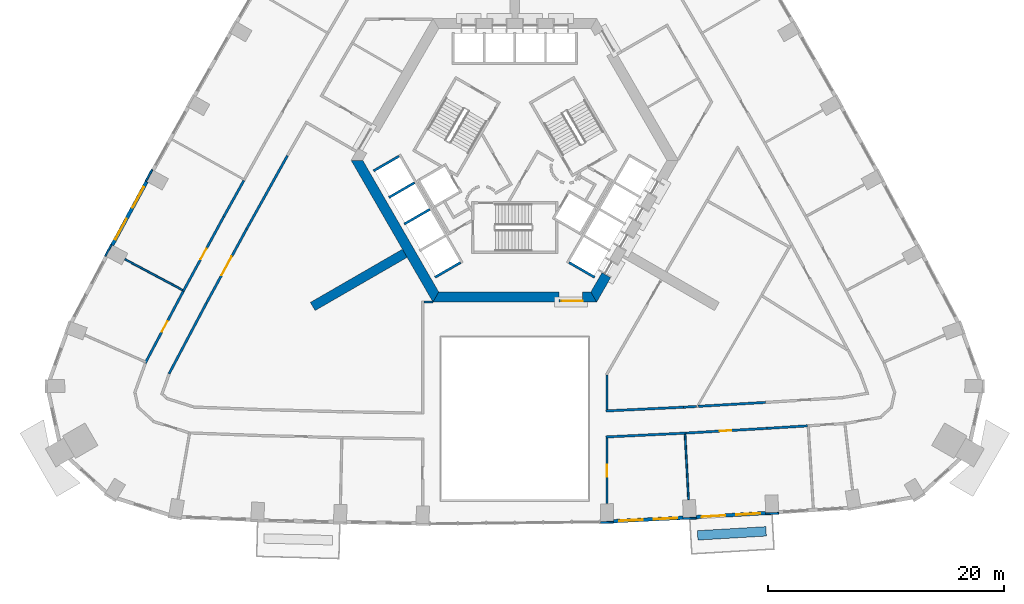
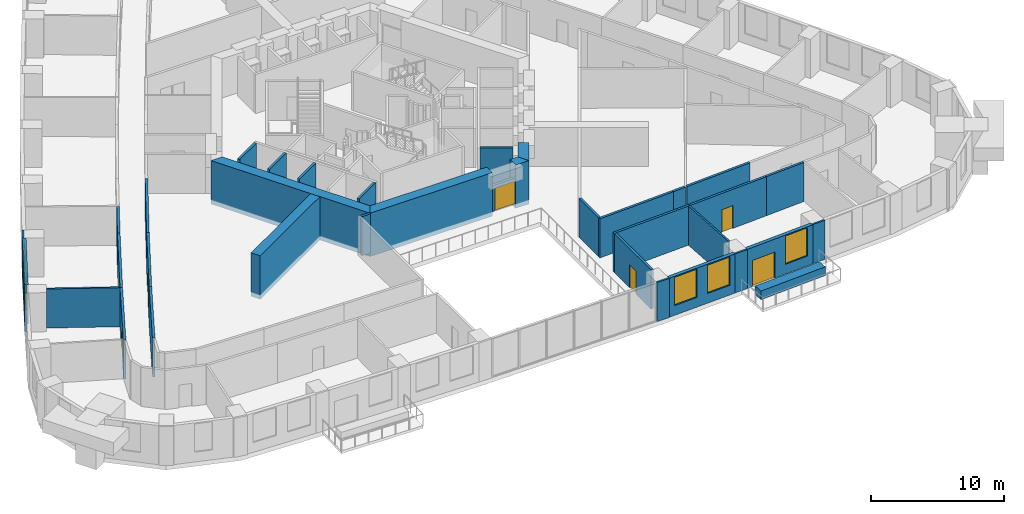
# One storey, part 5 of 15: 37 walls, 7 doors, 5 windows, 12 openings.
"""IFC4 building model written with IfcOpenShell, lengths in metres."""

from ifc_helpers import new_model, si_unit, direction, frame, frame_2d, origin, place, context, subcontext, project, spatial, polyline, rectangle, outline, extrude, material, layer, layer_set, type_object, element, fill, save


model = new_model("IFC4")

# Units and contexts
model_context = context("Model", 3, precision=1e-05, world=origin(), true_north=direction((0.0, 1.0)))
body_context = subcontext(model_context, "Body", "Model", "MODEL_VIEW")
ifc_project = project(units=[si_unit("LENGTHUNIT", "METRE"), si_unit("AREAUNIT", "SQUARE_METRE"), si_unit("VOLUMEUNIT", "CUBIC_METRE"), si_unit("PLANEANGLEUNIT", "RADIAN"), si_unit("MASSUNIT", "GRAM", prefix="KILO")], contexts=[model_context])

# Site, building, storey
site_placement = place(None, origin())
site = spatial("IfcSite", under=ifc_project, at=site_placement, CompositionType="ELEMENT")
building_placement = place(site_placement, origin())
building = spatial("IfcBuilding", under=site, at=building_placement, Name="Entoto Arch Interchange Tower", CompositionType="ELEMENT")
storey_placement = place(building_placement, frame((0.0, 0.0, 128.60009765625)))
storey = spatial("IfcBuildingStorey", under=building, at=storey_placement, Name="L28", CompositionType="ELEMENT", Elevation=128.60009765625)

# Wall
ifc_material_1 = material(Name="Concrete C60/75", Category="concrete")
ifc_layer_1 = layer(ifc_material_1, 0.800048828125)
ifc_layer_set_1 = layer_set([ifc_layer_1], Name="Concrete C60/75")
wall_type_1 = type_object("IfcWallType", Name="Buttress wall 800 C60/75", PredefinedType="SHEAR", material=ifc_layer_set_1)
wall_1_placement = place(storey_placement, frame((-9.31005859375, -5.375, -0.400146484375), z_axis=(0.0, 0.0, 1.0), x_axis=(-0.866017533419, -0.500013631625, 0.0)))
element("IfcWall", 1, at=wall_1_placement, inside=storey, type_object=wall_type_1, Name="Buttress wall SW L28", PredefinedType="SHEAR", context=body_context, shape_type="SweptSolid", body=[
    extrude(rectangle(XDim=8.999755859375, YDim=0.800048828125, at=frame_2d((4.5, 0.0))), origin(), (0.0, 0.0, 1.0), 4.0),
])

# Wall, opening, door
ifc_material_2 = material(Name="Reinforced concrete C40/50", Category="concrete")
ifc_layer_2 = layer(ifc_material_2, 0.199951171875)
ifc_layer_set_2 = layer_set([ifc_layer_2], Name="Reinforced concrete C40/50")
wall_type_2 = type_object("IfcWallType", Name="CORE GAP INFILL WALL", PredefinedType="PARTITIONING", material=ifc_layer_set_2)
wall_2_placement = place(storey_placement, frame((3.75, -9.39990234375, 0.0), z_axis=(0.0, 0.0, 1.0), x_axis=(1.0, 0.0, 0.0)))
wall_2 = element("IfcWall", 2, at=wall_2_placement, inside=storey, type_object=wall_type_2, Name="wall:L28:gap1", PredefinedType="PARTITIONING", context=body_context, shape_type="SweptSolid", body=[
    extrude(rectangle(XDim=2.0, YDim=0.199951171875, at=frame_2d((1.0, 0.0))), origin(), (0.0, 0.0, 1.0), 2.39990234375),
])
opening_1_placement = place(wall_2_placement, frame((0.18994140625, 0.0, 0.0)))
opening_1 = element("IfcOpeningElement", 3, at=opening_1_placement, cuts=wall_2, Name="Opening L28-D91", PredefinedType="OPENING", context=body_context, shape_type="SweptSolid", body=[
    extrude(rectangle(XDim=1.800048828125, YDim=2.10009765625, at=frame_2d((0.89990234375, 1.050048828125))), frame((0.0, 0.10986328125, 0.0), z_axis=(0.0, -1.0, 0.0), x_axis=(1.0, 0.0, 0.0)), (0.0, 0.0, 1.0), 0.219970703125),
])
ifc_material_3 = material(Name="Fire-rated Steel S235 door and frame", Category="steel")
door_type_1 = type_object("IfcDoorType", Name="DOOR FD-18 1800x2100", OperationType="DOUBLE_DOOR_SINGLE_SWING", PredefinedType="DOOR", material=ifc_material_3)
door_1_placement = place(opening_1_placement, origin())
door_1 = element("IfcDoor", 4, at=door_1_placement, inside=storey, type_object=door_type_1, Name="door:L28:gap1", OperationType="DOUBLE_DOOR_SINGLE_SWING", OverallHeight=2.10009765625, OverallWidth=1.800048828125, PredefinedType="DOOR", context=body_context, shape_type="SweptSolid", body=[
    extrude(rectangle(XDim=1.800048828125, YDim=2.10009765625, at=frame_2d((0.89990234375, 1.050048828125))), frame((0.0, 0.02490234375, 0.0), z_axis=(0.0, -1.0, 0.0), x_axis=(1.0, 0.0, 0.0)), (0.0, 0.0, 1.0), 0.050048828125),
])
fill(opening_1, door_1)

# Walls
ifc_layer_3 = layer(ifc_material_1, 0.85009765625)
ifc_layer_set_3 = layer_set([ifc_layer_3], Name="Concrete C60/75")
wall_type_3 = type_object("IfcWallType", Name="Core wall 850 C60/75", PredefinedType="SHEAR", material=ifc_layer_set_3)
wall_3_placement = place(storey_placement, frame((0.0, 0.0, -0.400146484375)))
element("IfcWall", 5, at=wall_3_placement, inside=storey, type_object=wall_type_3, Name="Core wall SW L28", PredefinedType="SHEAR", context=body_context, shape_type="SweptSolid", body=[
    extrude(outline(polyline([(-13.85595703125, 2.5), (-6.927978515625, -9.5), (-6.43701171875, -8.64990234375), (-12.875, 2.5), (-13.85595703125, 2.5)])), origin(), (0.0, 0.0, 1.0), 4.0),
])
wall_4_placement = place(storey_placement, frame((0.0, 0.0, -0.400146484375)))
element("IfcWall", 6, at=wall_4_placement, inside=storey, type_object=wall_type_3, Name="Core wall S L28", PredefinedType="SHEAR", context=body_context, shape_type="SweptSolid", body=[
    extrude(outline(polyline([(3.75, -9.5), (3.75, -8.64990234375), (-6.43701171875, -8.64990234375), (-6.927978515625, -9.5), (3.75, -9.5)])), origin(), (0.0, 0.0, 1.0), 4.0),
])
wall_5_placement = place(storey_placement, frame((0.0, 0.0, -0.400146484375)))
element("IfcWall", 7, at=wall_5_placement, inside=storey, type_object=wall_type_3, Name="Core wall S L28", PredefinedType="SHEAR", context=body_context, shape_type="SweptSolid", body=[
    extrude(outline(polyline([(5.75, -8.64990234375), (5.75, -9.5), (6.927978515625, -9.5), (6.43701171875, -8.64990234375), (5.75, -8.64990234375)])), origin(), (0.0, 0.0, 1.0), 4.0),
])
wall_6_placement = place(storey_placement, frame((0.0, 0.0, -0.400146484375)))
element("IfcWall", 8, at=wall_6_placement, inside=storey, type_object=wall_type_3, Name="Core wall SE L28", PredefinedType="SHEAR", context=body_context, shape_type="SweptSolid", body=[
    extrude(outline(polyline([(8.116943359375, -7.43994140625), (7.381103515625, -7.014892578125), (6.43701171875, -8.64990234375), (6.927978515625, -9.5), (8.116943359375, -7.43994140625)])), origin(), (0.0, 0.0, 1.0), 4.0),
])
ifc_material_4 = material(Name="Concrete C40/50", Category="concrete")
ifc_layer_4 = layer(ifc_material_4, 0.199951171875)
ifc_layer_set_4 = layer_set([ifc_layer_4], Name="Concrete C40/50")
wall_type_4 = type_object("IfcWallType", Name="LIFT SHAFT WALL 200", PredefinedType="STANDARD", material=ifc_layer_set_4)
wall_7_placement = place(storey_placement, frame((-9.7880859375, 2.85302734375, 0.0), z_axis=(0.0, 0.0, 1.0), x_axis=(-0.865998541277, -0.500046524342, 0.0)))
element("IfcWall", 9, at=wall_7_placement, inside=storey, type_object=wall_type_4, Name="Shaft wall SW3 cross 1", PredefinedType="STANDARD", context=body_context, shape_type="SweptSolid", body=[
    extrude(rectangle(XDim=2.499755859375, YDim=0.199951171875, at=frame_2d((1.25, 0.0))), origin(), (0.0, 0.0, 1.0), 3.599853515625),
])
for number, where, z_axis, x_axis, name in (
    (10, (-8.488037109375, 0.60205078125, 0.0), (0.0, 0.0, 1.0), (-0.866022959057, -0.500004234368, 0.0), "Shaft wall SW3 cross 2"),
    (11, (-7.18798828125, -1.64990234375, 0.0), (0.0, 0.0, 1.0), (-0.866022959057, -0.500004234368, 0.0), "Shaft wall SW3 cross 3"),
    (12, (-4.587890625, -6.153076171875, 0.0), (0.0, 0.0, 1.0), (-0.866022959057, -0.500004234368, 0.0), "Shaft wall SW3 cross 5"),
    (13, (4.587890625, -6.153076171875, 0.0), (0.0, 0.0, 1.0), (0.866022959057, -0.500004234368, 0.0), "Shaft wall SE3 cross 1"),
):
    element("IfcWall", number, at=place(storey_placement, frame(where, z_axis=z_axis, x_axis=x_axis)), inside=storey, type_object=wall_type_4, Name=name, PredefinedType="STANDARD", context=body_context, shape_type="SweptSolid", body=[
        extrude(rectangle(XDim=2.5, YDim=0.199951171875, at=frame_2d((1.25, 0.0))), origin(), (0.0, 0.0, 1.0), 3.599853515625),
    ])
ifc_material_5 = material(Name="Gypsum board partition on steel studs", Category="steel")
ifc_layer_5 = layer(ifc_material_5, 0.14990234375)
ifc_layer_set_5 = layer_set([ifc_layer_5], Name="Gypsum board partition on steel studs")
wall_type_5 = type_object("IfcWallType", Name="PARTITION 150", PredefinedType="PARTITIONING", material=ifc_layer_set_5)
wall_8_placement = place(storey_placement, frame((14.410888671875, -20.697021484375, 0.0), z_axis=(0.0, 0.0, 1.0), x_axis=(0.053386216168, -0.998573939137, 0.0)))
element("IfcWall", 14, at=wall_8_placement, inside=storey, type_object=wall_type_5, Name="wall:L28:p133", PredefinedType="PARTITIONING", context=body_context, shape_type="SweptSolid", body=[
    extrude(rectangle(XDim=5.52880859375, YDim=0.14990234375, at=frame_2d((2.764404296875, 0.0))), origin(), (0.0, 0.0, 1.0), 3.599853515625),
])
wall_9_placement = place(storey_placement, frame((-28.123046875, -8.488037109375, 0.0), z_axis=(0.0, 0.0, 1.0), x_axis=(-0.881406449288, 0.472358625573, 0.0)))
element("IfcWall", 15, at=wall_9_placement, inside=storey, type_object=wall_type_5, Name="wall:L28:p149", PredefinedType="PARTITIONING", context=body_context, shape_type="SweptSolid", body=[
    extrude(rectangle(XDim=5.52978515625, YDim=0.14990234375, at=frame_2d((2.764892578125, 0.0))), origin(), (0.0, 0.0, 1.0), 3.599853515625),
])
ifc_layer_6 = layer(ifc_material_5, 0.199951171875)
ifc_layer_set_6 = layer_set([ifc_layer_6], Name="Gypsum board partition on steel studs")
wall_type_6 = type_object("IfcWallType", Name="PARTITION 200", PredefinedType="PARTITIONING", material=ifc_layer_set_6)
wall_10_placement = place(storey_placement, frame((7.699951171875, -18.718994140625, 0.0), z_axis=(0.0, 0.0, 1.0), x_axis=(0.998829118209, 0.048377604502, 0.0)))
element("IfcWall", 16, at=wall_10_placement, inside=storey, type_object=wall_type_6, Name="wall:L28:p020", PredefinedType="PARTITIONING", context=body_context, shape_type="SweptSolid", body=[
    extrude(rectangle(XDim=6.595947265625, YDim=0.199951171875, at=frame_2d((3.2978515625, 0.0))), origin(), (0.0, 0.0, 1.0), 3.599853515625),
])
wall_11_placement = place(storey_placement, frame((14.2880859375, -18.39990234375, 0.0), z_axis=(0.0, 0.0, 1.0), x_axis=(0.998339941676, 0.057596535097, 0.0)))
element("IfcWall", 17, at=wall_11_placement, inside=storey, type_object=wall_type_6, Name="wall:L28:p021", PredefinedType="PARTITIONING", context=body_context, shape_type="SweptSolid", body=[
    extrude(rectangle(XDim=1.093505859375, YDim=0.199951171875, at=frame_2d((0.546875, 0.0))), origin(), (0.0, 0.0, 1.0), 3.599853515625),
])
wall_12_placement = place(storey_placement, frame((15.529052734375, -18.327880859375, 0.0), z_axis=(0.0, 0.0, 1.0), x_axis=(0.998293671523, 0.058393025246, 0.0)))
element("IfcWall", 18, at=wall_12_placement, inside=storey, type_object=wall_type_6, Name="wall:L28:p025", PredefinedType="PARTITIONING", context=body_context, shape_type="SweptSolid", body=[
    extrude(rectangle(XDim=5.69873046875, YDim=0.199951171875, at=frame_2d((2.849365234375, 0.0))), origin(), (0.0, 0.0, 1.0), 3.599853515625),
])
wall_13_placement = place(storey_placement, frame((-19.242919921875, 2.89404296875, 0.0), z_axis=(0.0, 0.0, 1.0), x_axis=(-0.486304341235, -0.873789498504, 0.0)))
element("IfcWall", 19, at=wall_13_placement, inside=storey, type_object=wall_type_6, Name="wall:L28:p034", PredefinedType="PARTITIONING", context=body_context, shape_type="SweptSolid", body=[
    extrude(rectangle(XDim=7.11279296875, YDim=0.199951171875, at=frame_2d((3.556396484375, 0.0))), origin(), (0.0, 0.0, 1.0), 3.599853515625),
])

# Wall, opening, door
wall_14_placement = place(storey_placement, frame((-22.701904296875, -3.321044921875, 0.0), z_axis=(0.0, 0.0, 1.0), x_axis=(-0.476941907079, -0.878934819695, 0.0)))
wall_14 = element("IfcWall", 20, at=wall_14_placement, inside=storey, type_object=wall_type_6, Name="wall:L28:p035", PredefinedType="PARTITIONING", context=body_context, shape_type="SweptSolid", body=[
    extrude(rectangle(XDim=7.1142578125, YDim=0.199951171875, at=frame_2d((3.55712890625, 0.0))), origin(), (0.0, 0.0, 1.0), 3.599853515625),
])
opening_2_placement = place(wall_14_placement, frame((2.656982421875, 0.0, 0.0)))
opening_2 = element("IfcOpeningElement", 21, at=opening_2_placement, cuts=wall_14, Name="Opening L28-D30", PredefinedType="OPENING", context=body_context, shape_type="SweptSolid", body=[
    extrude(rectangle(XDim=1.800048828125, YDim=2.10009765625, at=frame_2d((0.89990234375, 1.050048828125))), frame((0.0, 0.10986328125, 0.0), z_axis=(0.0, -1.0, 0.0), x_axis=(1.0, 0.0, 0.0)), (0.0, 0.0, 1.0), 0.219970703125),
])
ifc_material_6 = material(Name="Timber door leaf in Steel S235 frame", Category="steel")
door_type_2 = type_object("IfcDoorType", Name="DOOR DD-18 1800x2100", OperationType="DOUBLE_DOOR_SINGLE_SWING", PredefinedType="DOOR", material=ifc_material_6)
door_2_placement = place(opening_2_placement, origin())
door_2 = element("IfcDoor", 22, at=door_2_placement, inside=storey, type_object=door_type_2, Name="door:L28:30", OperationType="DOUBLE_DOOR_SINGLE_SWING", OverallHeight=2.10009765625, OverallWidth=1.800048828125, PredefinedType="DOOR", context=body_context, shape_type="SweptSolid", body=[
    extrude(rectangle(XDim=1.800048828125, YDim=2.10009765625, at=frame_2d((0.89990234375, 1.050048828125))), frame((0.0, 0.02490234375, 0.0), z_axis=(0.0, -1.0, 0.0), x_axis=(1.0, 0.0, 0.0)), (0.0, 0.0, 1.0), 0.050048828125),
])
fill(opening_2, door_2)

# Walls
wall_15_placement = place(storey_placement, frame((-26.094970703125, -9.573974609375, 0.0), z_axis=(0.0, 0.0, 1.0), x_axis=(-0.467631129673, -0.883923710826, 0.0)))
element("IfcWall", 23, at=wall_15_placement, inside=storey, type_object=wall_type_6, Name="wall:L28:p036", PredefinedType="PARTITIONING", context=body_context, shape_type="SweptSolid", body=[
    extrude(rectangle(XDim=6.776611328125, YDim=0.199951171875, at=frame_2d((3.38818359375, 0.0))), origin(), (0.0, 0.0, 1.0), 3.599853515625),
])
wall_16_placement = place(storey_placement, frame((14.48095703125, -20.593994140625, 0.0), z_axis=(0.0, 0.0, 1.0), x_axis=(-0.998839976403, -0.048152897512, 0.0)))
element("IfcWall", 24, at=wall_16_placement, inside=storey, type_object=wall_type_6, Name="wall:L28:p043", PredefinedType="PARTITIONING", context=body_context, shape_type="SweptSolid", body=[
    extrude(rectangle(XDim=6.788818359375, YDim=0.199951171875, at=frame_2d((3.39453125, 0.0))), origin(), (0.0, 0.0, 1.0), 3.599853515625),
])
wall_17_placement = place(storey_placement, frame((24.760009765625, -19.97998046875, 0.0), z_axis=(0.0, 0.0, 1.0), x_axis=(-0.998092137917, -0.061742078267, 0.0)))
element("IfcWall", 25, at=wall_17_placement, inside=storey, type_object=wall_type_6, Name="wall:L28:p044", PredefinedType="PARTITIONING", context=body_context, shape_type="SweptSolid", body=[
    extrude(rectangle(XDim=3.41650390625, YDim=0.199951171875, at=frame_2d((1.708251953125, 0.0))), origin(), (0.0, 0.0, 1.0), 3.599853515625),
])

# Wall, opening, door
wall_18_placement = place(storey_placement, frame((21.35009765625, -20.19091796875, 0.0), z_axis=(0.0, 0.0, 1.0), x_axis=(-0.998291094182, -0.058437071087, 0.0)))
wall_18 = element("IfcWall", 26, at=wall_18_placement, inside=storey, type_object=wall_type_6, Name="wall:L28:p045", PredefinedType="PARTITIONING", context=body_context, shape_type="SweptSolid", body=[
    extrude(rectangle(XDim=6.880859375, YDim=0.199951171875, at=frame_2d((3.4404296875, 0.0))), origin(), (0.0, 0.0, 1.0), 3.599853515625),
])
opening_3_placement = place(wall_18_placement, frame((3.01611328125, 0.0, 0.0)))
opening_3 = element("IfcOpeningElement", 27, at=opening_3_placement, cuts=wall_18, Name="Opening L28-D02", PredefinedType="OPENING", context=body_context, shape_type="SweptSolid", body=[
    extrude(rectangle(XDim=1.0, YDim=2.10009765625, at=frame_2d((0.5, 1.050048828125))), frame((0.0, 0.10986328125, 0.0), z_axis=(0.0, -1.0, 0.0), x_axis=(1.0, 0.0, 0.0)), (0.0, 0.0, 1.0), 0.219970703125),
])
door_type_3 = type_object("IfcDoorType", Name="DOOR DS-10 1000x2100", OperationType="SINGLE_SWING_LEFT", PredefinedType="DOOR", material=ifc_material_6)
door_3_placement = place(opening_3_placement, origin())
door_3 = element("IfcDoor", 28, at=door_3_placement, inside=storey, type_object=door_type_3, Name="door:L28:02", OperationType="SINGLE_SWING_RIGHT", OverallHeight=2.10009765625, OverallWidth=1.0, PredefinedType="DOOR", context=body_context, shape_type="SweptSolid", body=[
    extrude(rectangle(XDim=1.0, YDim=2.10009765625, at=frame_2d((0.5, 1.050048828125))), frame((0.0, 0.02490234375, 0.0), z_axis=(0.0, -1.0, 0.0), x_axis=(1.0, 0.0, 0.0)), (0.0, 0.0, 1.0), 0.050048828125),
])
fill(opening_3, door_3)

wall_19_placement = place(storey_placement, frame((-28.070068359375, -8.60107421875, 0.0), z_axis=(0.0, 0.0, 1.0), x_axis=(0.476979808397, 0.878914252007, 0.0)))
wall_19 = element("IfcWall", 29, at=wall_19_placement, inside=storey, type_object=wall_type_6, Name="wall:L28:p074", PredefinedType="PARTITIONING", context=body_context, shape_type="SweptSolid", body=[
    extrude(rectangle(XDim=7.21240234375, YDim=0.199951171875, at=frame_2d((3.606201171875, 0.0))), origin(), (0.0, 0.0, 1.0), 3.599853515625),
])
opening_4_placement = place(wall_19_placement, frame((3.10595703125, 0.0, 0.0)))
opening_4 = element("IfcOpeningElement", 30, at=opening_4_placement, cuts=wall_19, Name="Opening L28-D17", PredefinedType="OPENING", context=body_context, shape_type="SweptSolid", body=[
    extrude(rectangle(XDim=1.0, YDim=2.10009765625, at=frame_2d((0.5, 1.050048828125))), frame((0.0, 0.10986328125, 0.0), z_axis=(0.0, -1.0, 0.0), x_axis=(1.0, 0.0, 0.0)), (0.0, 0.0, 1.0), 0.219970703125),
])
door_4_placement = place(opening_4_placement, origin())
door_4 = element("IfcDoor", 31, at=door_4_placement, inside=storey, type_object=door_type_3, Name="door:L28:17", OperationType="SINGLE_SWING_RIGHT", OverallHeight=2.10009765625, OverallWidth=1.0, PredefinedType="DOOR", context=body_context, shape_type="SweptSolid", body=[
    extrude(rectangle(XDim=1.0, YDim=2.10009765625, at=frame_2d((0.5, 1.050048828125))), frame((0.0, 0.02490234375, 0.0), z_axis=(0.0, -1.0, 0.0), x_axis=(1.0, 0.0, 0.0)), (0.0, 0.0, 1.0), 0.050048828125),
])
fill(opening_4, door_4)

# Wall
wall_20_placement = place(storey_placement, frame((-24.6298828125, -2.261962890625, 0.0), z_axis=(0.0, 0.0, 1.0), x_axis=(0.486058237491, 0.873926421255, 0.0)))
element("IfcWall", 32, at=wall_20_placement, inside=storey, type_object=wall_type_6, Name="wall:L28:p075", PredefinedType="PARTITIONING", context=body_context, shape_type="SweptSolid", body=[
    extrude(rectangle(XDim=3.493408203125, YDim=0.199951171875, at=frame_2d((1.74658203125, 0.0))), origin(), (0.0, 0.0, 1.0), 3.599853515625),
])

# Wall, opening, door
wall_21_placement = place(storey_placement, frame((-31.280029296875, -14.669921875, 0.0), z_axis=(0.0, 0.0, 1.0), x_axis=(0.4676622466, 0.883907248022, 0.0)))
wall_21 = element("IfcWall", 33, at=wall_21_placement, inside=storey, type_object=wall_type_6, Name="wall:L28:p076", PredefinedType="PARTITIONING", context=body_context, shape_type="SweptSolid", body=[
    extrude(rectangle(XDim=6.865966796875, YDim=0.199951171875, at=frame_2d((3.43310546875, 0.0))), origin(), (0.0, 0.0, 1.0), 3.599853515625),
])
opening_5_placement = place(wall_21_placement, frame((3.008056640625, 0.0, 0.0)))
opening_5 = element("IfcOpeningElement", 34, at=opening_5_placement, cuts=wall_21, Name="Opening L28-D18", PredefinedType="OPENING", context=body_context, shape_type="SweptSolid", body=[
    extrude(rectangle(XDim=1.0, YDim=2.10009765625, at=frame_2d((0.5, 1.050048828125))), frame((0.0, 0.10986328125, 0.0), z_axis=(0.0, -1.0, 0.0), x_axis=(1.0, 0.0, 0.0)), (0.0, 0.0, 1.0), 0.219970703125),
])
door_5_placement = place(opening_5_placement, origin())
door_5 = element("IfcDoor", 35, at=door_5_placement, inside=storey, type_object=door_type_3, Name="door:L28:18", OperationType="SINGLE_SWING_LEFT", OverallHeight=2.10009765625, OverallWidth=1.0, PredefinedType="DOOR", context=body_context, shape_type="SweptSolid", body=[
    extrude(rectangle(XDim=1.0, YDim=2.10009765625, at=frame_2d((0.5, 1.050048828125))), frame((0.0, 0.02490234375, 0.0), z_axis=(0.0, -1.0, 0.0), x_axis=(1.0, 0.0, 0.0)), (0.0, 0.0, 1.0), 0.050048828125),
])
fill(opening_5, door_5)

# Walls
wall_22_placement = place(storey_placement, frame((7.800048828125, -15.68994140625, 0.0), z_axis=(0.0, 0.0, 1.0), x_axis=(0.0, -1.0, 0.0)))
element("IfcWall", 36, at=wall_22_placement, inside=storey, type_object=wall_type_6, Name="wall:L28:p115", PredefinedType="PARTITIONING", context=body_context, shape_type="SweptSolid", body=[
    extrude(rectangle(XDim=2.924072265625, YDim=0.199951171875, at=frame_2d((1.4619140625, 0.0))), origin(), (0.0, 0.0, 1.0), 3.599853515625),
])
wall_23_placement = place(storey_placement, frame((-7.699951171875, -9.4990234375, 0.0), z_axis=(0.0, 0.0, 1.0), x_axis=(1.0, 0.0, 0.0)))
element("IfcWall", 37, at=wall_23_placement, inside=storey, type_object=wall_type_6, Name="wall:L28:p117", PredefinedType="PARTITIONING", context=body_context, shape_type="SweptSolid", body=[
    extrude(rectangle(XDim=0.77099609375, YDim=0.199951171875, at=frame_2d((0.385498046875, 0.0))), origin(), (0.0, 0.0, 1.0), 3.599853515625),
])

# Wall, opening, door
wall_24_placement = place(storey_placement, frame((7.800048828125, -21.01708984375, 0.0), z_axis=(0.0, 0.0, 1.0), x_axis=(0.0, -1.0, 0.0)))
wall_24 = element("IfcWall", 38, at=wall_24_placement, inside=storey, type_object=wall_type_6, Name="wall:L28:p118", PredefinedType="PARTITIONING", context=body_context, shape_type="SweptSolid", body=[
    extrude(rectangle(XDim=5.537841796875, YDim=0.199951171875, at=frame_2d((2.76904296875, 0.0))), origin(), (0.0, 0.0, 1.0), 3.599853515625),
])
opening_6_placement = place(wall_24_placement, frame((2.26904296875, 0.0, 0.0)))
opening_6 = element("IfcOpeningElement", 39, at=opening_6_placement, cuts=wall_24, Name="Opening L28-D01", PredefinedType="OPENING", context=body_context, shape_type="SweptSolid", body=[
    extrude(rectangle(XDim=1.0, YDim=2.10009765625, at=frame_2d((0.5, 1.050048828125))), frame((0.0, 0.10986328125, 0.0), z_axis=(0.0, -1.0, 0.0), x_axis=(1.0, 0.0, 0.0)), (0.0, 0.0, 1.0), 0.219970703125),
])
door_6_placement = place(opening_6_placement, origin())
door_6 = element("IfcDoor", 40, at=door_6_placement, inside=storey, type_object=door_type_3, Name="door:L28:01", OperationType="SINGLE_SWING_LEFT", OverallHeight=2.10009765625, OverallWidth=1.0, PredefinedType="DOOR", context=body_context, shape_type="SweptSolid", body=[
    extrude(rectangle(XDim=1.0, YDim=2.10009765625, at=frame_2d((0.5, 1.050048828125))), frame((0.0, 0.02490234375, 0.0), z_axis=(0.0, -1.0, 0.0), x_axis=(1.0, 0.0, 0.0)), (0.0, 0.0, 1.0), 0.050048828125),
])
fill(opening_6, door_6)

# Wall
ifc_material_7 = material(Name="Board-marked precast concrete C50/60", Category="concrete")
ifc_layer_7 = layer(ifc_material_7, 0.800048828125)
ifc_layer_set_7 = layer_set([ifc_layer_7], Name="Board-marked precast concrete C50/60")
wall_type_7 = type_object("IfcWallType", Name="PLANTER RC 800 Afrocarpus falcatus", PredefinedType="STANDARD", material=ifc_layer_set_7)
wall_25_placement = place(storey_placement, frame((15.47607421875, -29.25, 0.0), z_axis=(0.0, 0.0, 1.0), x_axis=(0.998292739561, 0.058408955992, 0.0)))
element("IfcWall", 41, at=wall_25_placement, inside=storey, type_object=wall_type_7, Name="Planter S-06 L28", PredefinedType="STANDARD", context=body_context, shape_type="SweptSolid", body=[
    extrude(rectangle(XDim=5.805908203125, YDim=0.800048828125, at=frame_2d((2.90283203125, 0.0))), origin(), (0.0, 0.0, 1.0), 0.7998046875),
])

# Wall, openings, windows
ifc_material_8 = material(Name="Welded tuff (ignimbrite) cladding, warm buff", Category="masonry")
ifc_layer_8 = layer(ifc_material_8, 0.300048828125)
ifc_layer_set_8 = layer_set([ifc_layer_8], Name="Welded tuff (ignimbrite) cladding, warm buff")
wall_type_8 = type_object("IfcWallType", Name="STONE INFILL WALL 300", PredefinedType="STANDARD", material=ifc_layer_set_8)
wall_26_placement = place(storey_placement, frame((8.346923828125, -28.048095703125, 0.0), z_axis=(0.0, 0.0, 1.0), x_axis=(0.998840459798, 0.048142869367, 0.0)))
wall_26 = element("IfcWall", 42, at=wall_26_placement, inside=storey, type_object=wall_type_8, Name="Facade wall S-05 L28", PredefinedType="STANDARD", context=body_context, shape_type="SweptSolid", body=[
    extrude(rectangle(XDim=5.90283203125, YDim=0.300048828125, at=frame_2d((2.951416015625, 0.0))), origin(), (0.0, 0.0, 1.0), 3.599853515625),
])
opening_7_placement = place(wall_26_placement, frame((0.47607421875, 0.0, 0.89990234375)))
opening_7 = element("IfcOpeningElement", 43, at=opening_7_placement, cuts=wall_26, Name="Opening WO-C", PredefinedType="OPENING", context=body_context, shape_type="SweptSolid", body=[
    extrude(rectangle(XDim=2.0, YDim=2.60009765625, at=frame_2d((1.0, 1.300048828125))), frame((0.0, 0.16015625, 0.0), z_axis=(0.0, -1.0, 0.0), x_axis=(1.0, 0.0, 0.0)), (0.0, 0.0, 1.0), 0.320068359375),
])
opening_8_placement = place(wall_26_placement, frame((3.427001953125, 0.0, 0.89990234375)))
opening_8 = element("IfcOpeningElement", 44, at=opening_8_placement, cuts=wall_26, Name="Opening WO-C", PredefinedType="OPENING", context=body_context, shape_type="SweptSolid", body=[
    extrude(rectangle(XDim=2.0, YDim=2.60009765625, at=frame_2d((1.0, 1.300048828125))), frame((0.0, 0.16015625, 0.0), z_axis=(0.0, -1.0, 0.0), x_axis=(1.0, 0.0, 0.0)), (0.0, 0.0, 1.0), 0.320068359375),
])
ifc_material_9 = material(Name="Clear glass, low-e double glazed", Category="glass")
window_type = type_object("IfcWindowType", Name="WINDOW WO-C 2000x2600", PartitioningType="DOUBLE_PANEL_VERTICAL", PredefinedType="WINDOW", material=ifc_material_9)
window_1_placement = place(opening_7_placement, origin())
window_1 = element("IfcWindow", 45, at=window_1_placement, inside=storey, type_object=window_type, Name="Window WO-C S-05 L28", OverallHeight=2.60009765625, OverallWidth=2.0, PartitioningType="SINGLE_PANEL", PredefinedType="WINDOW", context=body_context, shape_type="SweptSolid", body=[
    extrude(rectangle(XDim=2.0, YDim=2.60009765625, at=frame_2d((1.0, 1.300048828125))), frame((0.0, 0.030029296875, 0.0), z_axis=(0.0, -1.0, 0.0), x_axis=(1.0, 0.0, 0.0)), (0.0, 0.0, 1.0), 0.06005859375),
])
fill(opening_7, window_1)
window_2_placement = place(opening_8_placement, origin())
window_2 = element("IfcWindow", 46, at=window_2_placement, inside=storey, type_object=window_type, Name="Window WO-C S-05 L28", OverallHeight=2.60009765625, OverallWidth=2.0, PartitioningType="SINGLE_PANEL", PredefinedType="WINDOW", context=body_context, shape_type="SweptSolid", body=[
    extrude(rectangle(XDim=2.0, YDim=2.60009765625, at=frame_2d((1.0, 1.300048828125))), frame((0.0, 0.030029296875, 0.0), z_axis=(0.0, -1.0, 0.0), x_axis=(1.0, 0.0, 0.0)), (0.0, 0.0, 1.0), 0.06005859375),
])
fill(opening_8, window_2)

# Wall, openings, door, window
wall_27_placement = place(storey_placement, frame((15.340087890625, -27.705078125, 0.0), z_axis=(0.0, 0.0, 1.0), x_axis=(0.998292147894, 0.058419067546, 0.0)))
wall_27 = element("IfcWall", 47, at=wall_27_placement, inside=storey, type_object=wall_type_8, Name="Facade wall S-06 L28", PredefinedType="STANDARD", context=body_context, shape_type="SweptSolid", body=[
    extrude(rectangle(XDim=5.905029296875, YDim=0.300048828125, at=frame_2d((2.95263671875, 0.0))), origin(), (0.0, 0.0, 1.0), 3.599853515625),
])
opening_9_placement = place(wall_27_placement, frame((0.47607421875, 0.0, 0.0)))
opening_9 = element("IfcOpeningElement", 48, at=opening_9_placement, cuts=wall_27, Name="Opening DB-S-06-L28", PredefinedType="OPENING", context=body_context, shape_type="SweptSolid", body=[
    extrude(rectangle(XDim=2.0, YDim=2.39990234375, at=frame_2d((1.0, 1.199951171875))), frame((0.0, 0.16015625, 0.0), z_axis=(0.0, -1.0, 0.0), x_axis=(1.0, 0.0, 0.0)), (0.0, 0.0, 1.0), 0.320068359375),
])
opening_10_placement = place(wall_27_placement, frame((3.428955078125, 0.0, 0.89990234375)))
opening_10 = element("IfcOpeningElement", 49, at=opening_10_placement, cuts=wall_27, Name="Opening WO-C", PredefinedType="OPENING", context=body_context, shape_type="SweptSolid", body=[
    extrude(rectangle(XDim=2.0, YDim=2.60009765625, at=frame_2d((1.0, 1.300048828125))), frame((0.0, 0.16015625, 0.0), z_axis=(0.0, -1.0, 0.0), x_axis=(1.0, 0.0, 0.0)), (0.0, 0.0, 1.0), 0.320068359375),
])
ifc_material_10 = material(Name="Aluminium and clear glass, anodised", Category="aluminium")
door_type_4 = type_object("IfcDoorType", Name="BALCONY DOOR DB 2000x2400", OperationType="SLIDING_TO_LEFT", PredefinedType="DOOR", material=ifc_material_10)
door_7_placement = place(opening_9_placement, origin())
door_7 = element("IfcDoor", 50, at=door_7_placement, inside=storey, type_object=door_type_4, Name="Balcony door S-06 L28", OperationType="SLIDING_TO_LEFT", OverallHeight=2.39990234375, OverallWidth=2.0, PredefinedType="DOOR", context=body_context, shape_type="SweptSolid", body=[
    extrude(rectangle(XDim=2.0, YDim=2.39990234375, at=frame_2d((1.0, 1.199951171875))), frame((0.0, 0.02490234375, 0.0), z_axis=(0.0, -1.0, 0.0), x_axis=(1.0, 0.0, 0.0)), (0.0, 0.0, 1.0), 0.050048828125),
])
fill(opening_9, door_7)
window_3_placement = place(opening_10_placement, origin())
window_3 = element("IfcWindow", 51, at=window_3_placement, inside=storey, type_object=window_type, Name="Window WO-C S-06 L28", OverallHeight=2.60009765625, OverallWidth=2.0, PartitioningType="SINGLE_PANEL", PredefinedType="WINDOW", context=body_context, shape_type="SweptSolid", body=[
    extrude(rectangle(XDim=2.0, YDim=2.60009765625, at=frame_2d((1.0, 1.300048828125))), frame((0.0, 0.030029296875, 0.0), z_axis=(0.0, -1.0, 0.0), x_axis=(1.0, 0.0, 0.0)), (0.0, 0.0, 1.0), 0.06005859375),
])
fill(opening_10, window_3)

# Wall, openings, windows
wall_28_placement = place(storey_placement, frame((-31.157958984375, 0.699951171875, 0.0), z_axis=(0.0, 0.0, 1.0), x_axis=(-0.476982616152, -0.878912728255, 0.0)))
wall_28 = element("IfcWall", 52, at=wall_28_placement, inside=storey, type_object=wall_type_8, Name="Facade wall NW-07 L28", PredefinedType="STANDARD", context=body_context, shape_type="SweptSolid", body=[
    extrude(rectangle(XDim=6.115478515625, YDim=0.300048828125, at=frame_2d((3.0576171875, 0.0))), origin(), (0.0, 0.0, 1.0), 3.599853515625),
])
opening_11_placement = place(wall_28_placement, frame((0.529052734375, 0.0, 0.89990234375)))
opening_11 = element("IfcOpeningElement", 53, at=opening_11_placement, cuts=wall_28, Name="Opening WO-C", PredefinedType="OPENING", context=body_context, shape_type="SweptSolid", body=[
    extrude(rectangle(XDim=2.0, YDim=2.60009765625, at=frame_2d((1.0, 1.300048828125))), frame((0.0, 0.16015625, 0.0), z_axis=(0.0, -1.0, 0.0), x_axis=(1.0, 0.0, 0.0)), (0.0, 0.0, 1.0), 0.320068359375),
])
opening_12_placement = place(wall_28_placement, frame((3.5869140625, 0.0, 0.89990234375)))
opening_12 = element("IfcOpeningElement", 54, at=opening_12_placement, cuts=wall_28, Name="Opening WO-C", PredefinedType="OPENING", context=body_context, shape_type="SweptSolid", body=[
    extrude(rectangle(XDim=2.0, YDim=2.60009765625, at=frame_2d((1.0, 1.300048828125))), frame((0.0, 0.16015625, 0.0), z_axis=(0.0, -1.0, 0.0), x_axis=(1.0, 0.0, 0.0)), (0.0, 0.0, 1.0), 0.320068359375),
])
window_4_placement = place(opening_11_placement, origin())
window_4 = element("IfcWindow", 55, at=window_4_placement, inside=storey, type_object=window_type, Name="Window WO-C NW-07 L28", OverallHeight=2.60009765625, OverallWidth=2.0, PartitioningType="SINGLE_PANEL", PredefinedType="WINDOW", context=body_context, shape_type="SweptSolid", body=[
    extrude(rectangle(XDim=2.0, YDim=2.60009765625, at=frame_2d((1.0, 1.300048828125))), frame((0.0, 0.030029296875, 0.0), z_axis=(0.0, -1.0, 0.0), x_axis=(1.0, 0.0, 0.0)), (0.0, 0.0, 1.0), 0.06005859375),
])
fill(opening_11, window_4)
window_5_placement = place(opening_12_placement, origin())
window_5 = element("IfcWindow", 56, at=window_5_placement, inside=storey, type_object=window_type, Name="Window WO-C NW-07 L28", OverallHeight=2.60009765625, OverallWidth=2.0, PartitioningType="SINGLE_PANEL", PredefinedType="WINDOW", context=body_context, shape_type="SweptSolid", body=[
    extrude(rectangle(XDim=2.0, YDim=2.60009765625, at=frame_2d((1.0, 1.300048828125))), frame((0.0, 0.030029296875, 0.0), z_axis=(0.0, -1.0, 0.0), x_axis=(1.0, 0.0, 0.0)), (0.0, 0.0, 1.0), 0.06005859375),
])
fill(opening_12, window_5)

# Walls
ifc_layer_9 = layer(ifc_material_8, 0.14990234375)
ifc_layer_set_9 = layer_set([ifc_layer_9], Name="Welded tuff (ignimbrite) cladding, warm buff")
wall_type_9 = type_object("IfcWallType", Name="STONE PIER CLADDING 150", PredefinedType="STANDARD", material=ifc_layer_set_9)
wall_29_placement = place(storey_placement, frame((-30.697998046875, 1.700927734375, 0.0), z_axis=(0.0, 0.0, 1.0), x_axis=(-0.479737645119, -0.877411985247, 0.0)))
element("IfcWall", 57, at=wall_29_placement, inside=storey, type_object=wall_type_9, Name="Stone pier NW07 L28", PredefinedType="STANDARD", context=body_context, shape_type="SweptSolid", body=[
    extrude(rectangle(XDim=1.100830078125, YDim=0.14990234375, at=frame_2d((0.55029296875, 0.0))), origin(), (0.0, 0.0, 1.0), 3.599853515625),
])
wall_30_placement = place(storey_placement, frame((-34.14501953125, -4.636962890625, 0.0), z_axis=(0.0, 0.0, 1.0), x_axis=(-0.46919310775, -0.883095593716, 0.0)))
element("IfcWall", 58, at=wall_30_placement, inside=storey, type_object=wall_type_9, Name="Stone pier NW08 L28", PredefinedType="STANDARD", context=body_context, shape_type="SweptSolid", body=[
    extrude(rectangle(XDim=1.099365234375, YDim=0.14990234375, at=frame_2d((0.5498046875, 0.0))), origin(), (0.0, 0.0, 1.0), 3.599853515625),
])
wall_31_placement = place(storey_placement, frame((7.2490234375, -28.155029296875, 0.0), z_axis=(0.0, 0.0, 1.0), x_axis=(0.99995860686, 0.009098602504, 0.0)))
element("IfcWall", 59, at=wall_31_placement, inside=storey, type_object=wall_type_9, Name="Stone pier S05 L28", PredefinedType="STANDARD", context=body_context, shape_type="SweptSolid", body=[
    extrude(rectangle(XDim=1.10009765625, YDim=0.14990234375, at=frame_2d((0.550048828125, 0.0))), origin(), (0.0, 0.0, 1.0), 3.599853515625),
])
wall_32_placement = place(storey_placement, frame((14.242919921875, -27.824951171875, 0.0), z_axis=(0.0, 0.0, 1.0), x_axis=(0.999723421029, 0.023517683673, 0.0)))
element("IfcWall", 60, at=wall_32_placement, inside=storey, type_object=wall_type_9, Name="Stone pier S06 L28", PredefinedType="STANDARD", context=body_context, shape_type="SweptSolid", body=[
    extrude(rectangle(XDim=1.100341796875, YDim=0.14990234375, at=frame_2d((0.55029296875, 0.0))), origin(), (0.0, 0.0, 1.0), 3.599853515625),
])
wall_33_placement = place(storey_placement, frame((21.237060546875, -27.423095703125, 0.0), z_axis=(0.0, 0.0, 1.0), x_axis=(0.999368780235, 0.035525217693, 0.0)))
element("IfcWall", 61, at=wall_33_placement, inside=storey, type_object=wall_type_9, Name="Stone pier S07 L28", PredefinedType="STANDARD", context=body_context, shape_type="SweptSolid", body=[
    extrude(rectangle(XDim=1.099609375, YDim=0.14990234375, at=frame_2d((0.5498046875, 0.0))), origin(), (0.0, 0.0, 1.0), 3.599853515625),
])

save(model, "model.ifc")
